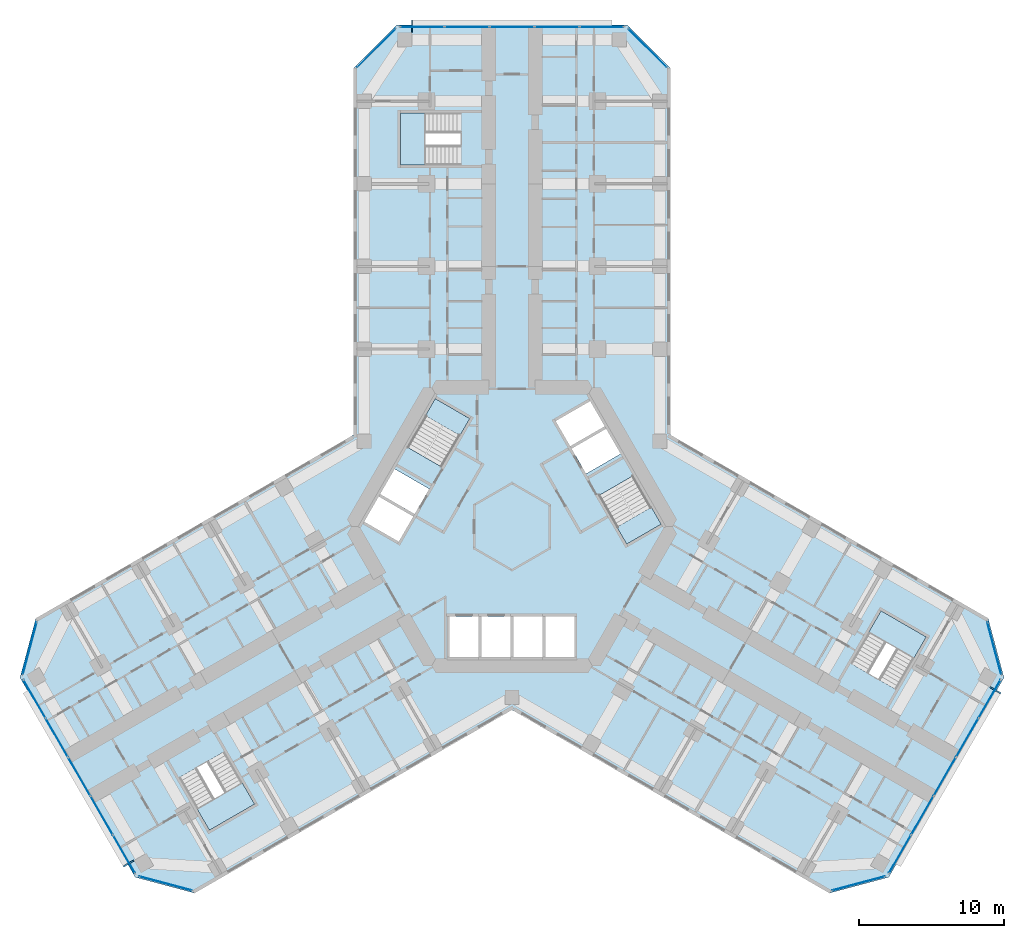
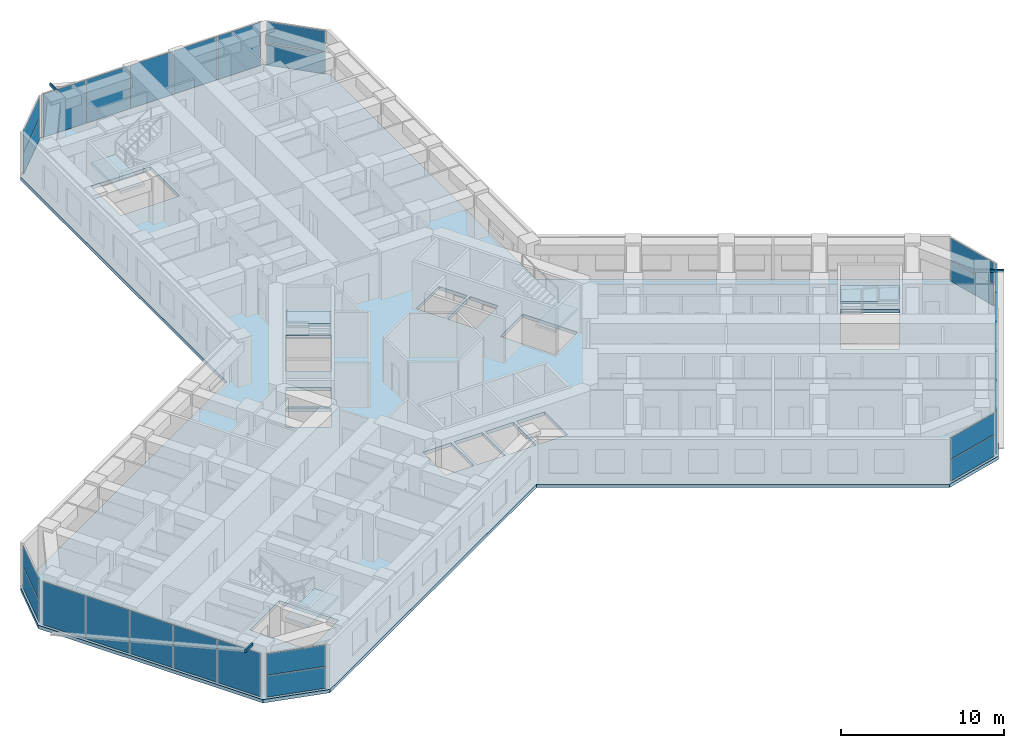
# One storey, part 9 of 21: 27 plates, 6 slabs, 3 members, 14 elements without a shape of their own.
"""IFC4 building model written with IfcOpenShell, lengths in metres."""

from ifc_helpers import new_model, si_unit, direction, frame, origin, origin_2d, place, context, subcontext, project, spatial, polyline, rectangle, hollow_rectangle, outline, extrude, material, layer, layer_set, material_profile, profile_set, type_object, element, aggregate, save


model = new_model("IFC4")

# Units and contexts
model_context = context("Model", 3, precision=1e-05, world=origin(), true_north=direction((0.0, 1.0)))
body_context = subcontext(model_context, "Body", "Model", "MODEL_VIEW")
ifc_project = project(units=[si_unit("LENGTHUNIT", "METRE"), si_unit("AREAUNIT", "SQUARE_METRE"), si_unit("VOLUMEUNIT", "CUBIC_METRE"), si_unit("PLANEANGLEUNIT", "RADIAN"), si_unit("MASSUNIT", "GRAM", prefix="KILO")], contexts=[model_context])

# Site, building, storey
site_placement = place(None, origin())
site = spatial("IfcSite", under=ifc_project, at=site_placement, CompositionType="ELEMENT")
building_placement = place(site_placement, origin())
building = spatial("IfcBuilding", under=site, at=building_placement, Name="Kosmar Iwan School Tower", CompositionType="ELEMENT")
storey_placement = place(building_placement, frame((0.0, 0.0, 53.800048828125)))
storey = spatial("IfcBuildingStorey", under=building, at=storey_placement, Name="L12", CompositionType="ELEMENT", Elevation=53.800048828125)

# Members
ifc_material_1 = material(Name="Steel S355", Category="steel")
ifc_material_profile = material_profile(ifc_material_1, hollow_rectangle(XDim=0.10009765625, YDim=0.199951171875, WallThickness=0.008056640625, at=origin_2d()), Name="RHS 200x100x8")
ifc_profile_set = profile_set([ifc_material_profile], Name="Steel S355")
member_type = type_object("IfcMemberType", Name="Fin bracket RHS 200x100", PredefinedType="USERDEFINED", material=ifc_profile_set)
member_1_placement = place(storey_placement, frame((32.9814453125, -11.074462890625, 3.474853515625), z_axis=(0.865989465428, -0.500062241894, 0.0), x_axis=(0.500062241894, 0.865989465428, 0.0)))
element("IfcMember", 1, at=member_1_placement, inside=storey, type_object=member_type, Name="Fin bracket L13", ObjectType="FIN BRACKET", PredefinedType="USERDEFINED", context=body_context, shape_type="SweptSolid", body=[
    extrude(hollow_rectangle(XDim=0.10009765625, YDim=0.199951171875, WallThickness=0.008056640625, at=origin_2d()), origin(), (0.0, 0.0, 1.0), 0.85009765625),
])
member_2_placement = place(storey_placement, frame((-6.89990234375, 34.10009765625, 3.474853515625), z_axis=(0.0, 1.0, 0.0), x_axis=(-1.0, 0.0, 0.0)))
element("IfcMember", 2, at=member_2_placement, inside=storey, type_object=member_type, Name="Fin bracket L13", ObjectType="FIN BRACKET", PredefinedType="USERDEFINED", context=body_context, shape_type="SweptSolid", body=[
    extrude(hollow_rectangle(XDim=0.10009765625, YDim=0.199951171875, WallThickness=0.008056640625, at=origin_2d()), origin(), (0.0, 0.0, 1.0), 0.849853515625),
])
member_3_placement = place(storey_placement, frame((-26.08154296875, -23.025634765625, 3.474853515625), z_axis=(-0.865989465428, -0.500062241894, 0.0), x_axis=(0.500062241894, -0.865989465428, 0.0)))
element("IfcMember", 3, at=member_3_placement, inside=storey, type_object=member_type, Name="Fin bracket L13", ObjectType="FIN BRACKET", PredefinedType="USERDEFINED", context=body_context, shape_type="SweptSolid", body=[
    extrude(hollow_rectangle(XDim=0.10009765625, YDim=0.199951171875, WallThickness=0.008056640625, at=origin_2d()), origin(), (0.0, 0.0, 1.0), 0.85009765625),
])

# Curtain wall, plates
ifc_material_2 = material(Name="Dark glass in black aluminium frame", Category="aluminium")
curtain_wall_type_1 = type_object("IfcCurtainWallType", Name="Chamfer curtain wall dark glass", PredefinedType="USERDEFINED", material=ifc_material_2)
curtain_wall_1_placement = place(storey_placement, origin())
curtain_wall_1 = element("IfcCurtainWall", 4, at=curtain_wall_1_placement, inside=storey, type_object=curtain_wall_type_1, Name="Curtain wall L12-F02", ObjectType="FACETED CURTAIN WALL", PredefinedType="USERDEFINED")
ifc_material_3 = material(Name="Dark glass", Category="glass")
ifc_layer_1 = layer(ifc_material_3, 0.028076171875)
ifc_layer_set_1 = layer_set([ifc_layer_1], Name="Dark glass panel 28")
plate_type = type_object("IfcPlateType", Name="Dark glass panel 28", PredefinedType="CURTAIN_PANEL", material=ifc_layer_set_1)
plate_1_placement = place(storey_placement, frame((23.908203125, -24.61328125, 0.06005859375), z_axis=(0.0, 0.0, 1.0), x_axis=(0.965925875495, 0.258818861462, 0.0)))
plate_1 = element("IfcPlate", 5, at=plate_1_placement, type_object=plate_type, Name="CW2 panel 1.1", PredefinedType="CURTAIN_PANEL", context=body_context, shape_type="SweptSolid", body=[
    extrude(rectangle(XDim=3.718994140625, YDim=0.028076171875, at=origin_2d()), origin(), (0.0, 0.0, 1.0), 1.5849609375),
])
plate_2_placement = place(storey_placement, frame((23.908203125, -24.61328125, 1.705078125), z_axis=(0.0, 0.0, 1.0), x_axis=(0.965925875495, 0.258818861462, 0.0)))
plate_2 = element("IfcPlate", 6, at=plate_2_placement, type_object=plate_type, Name="CW2 panel 1.2", PredefinedType="CURTAIN_PANEL", context=body_context, shape_type="SweptSolid", body=[
    extrude(rectangle(XDim=3.718994140625, YDim=0.028076171875, at=origin_2d()), origin(), (0.0, 0.0, 1.0), 1.5849609375),
])
aggregate(curtain_wall_1, [plate_1, plate_2])

ifc_material_4 = material(Name="Dark glass in black aluminium frame", Category="aluminium")
curtain_wall_type_2 = type_object("IfcCurtainWallType", Name="Tower curtain wall dark glass", PredefinedType="USERDEFINED", material=ifc_material_4)
curtain_wall_2_placement = place(storey_placement, origin())
curtain_wall_2 = element("IfcCurtainWall", 7, at=curtain_wall_2_placement, inside=storey, type_object=curtain_wall_type_2, Name="Curtain wall L12-F03", ObjectType="UNITISED CURTAIN WALL", PredefinedType="USERDEFINED")
plate_3_placement = place(storey_placement, frame((26.764404296875, -22.592529296875, 0.06005859375), z_axis=(0.0, 0.0, 1.0), x_axis=(0.499999997325, 0.866025405329, 0.0)))
plate_3 = element("IfcPlate", 8, at=plate_3_placement, type_object=plate_type, Name="CW1 panel 1.1", PredefinedType="CURTAIN_PANEL", context=body_context, shape_type="SweptSolid", body=[
    extrude(rectangle(XDim=3.00927734375, YDim=0.028076171875, at=origin_2d()), origin(), (0.0, 0.0, 1.0), 3.22998046875),
])
plate_4_placement = place(storey_placement, frame((28.306640625, -19.921630859375, 0.06005859375), z_axis=(0.0, 0.0, 1.0), x_axis=(0.499999997325, 0.866025405329, 0.0)))
plate_4 = element("IfcPlate", 9, at=plate_4_placement, type_object=plate_type, Name="CW1 panel 2.1", PredefinedType="CURTAIN_PANEL", context=body_context, shape_type="SweptSolid", body=[
    extrude(rectangle(XDim=3.039306640625, YDim=0.028076171875, at=origin_2d()), origin(), (0.0, 0.0, 1.0), 3.22998046875),
])
plate_5_placement = place(storey_placement, frame((29.856201171875, -17.237548828125, 0.06005859375), z_axis=(0.0, 0.0, 1.0), x_axis=(0.499999997325, 0.866025405329, 0.0)))
plate_5 = element("IfcPlate", 10, at=plate_5_placement, type_object=plate_type, Name="CW1 panel 3.1", PredefinedType="CURTAIN_PANEL", context=body_context, shape_type="SweptSolid", body=[
    extrude(rectangle(XDim=3.039306640625, YDim=0.028076171875, at=origin_2d()), origin(), (0.0, 0.0, 1.0), 3.22998046875),
])
plate_6_placement = place(storey_placement, frame((31.40576171875, -14.553466796875, 0.06005859375), z_axis=(0.0, 0.0, 1.0), x_axis=(0.499999997325, 0.866025405329, 0.0)))
plate_6 = element("IfcPlate", 11, at=plate_6_placement, type_object=plate_type, Name="CW1 panel 4.1", PredefinedType="CURTAIN_PANEL", context=body_context, shape_type="SweptSolid", body=[
    extrude(rectangle(XDim=3.039306640625, YDim=0.028076171875, at=origin_2d()), origin(), (0.0, 0.0, 1.0), 3.22998046875),
])
plate_7_placement = place(storey_placement, frame((32.947998046875, -11.88232421875, 0.06005859375), z_axis=(0.0, 0.0, 1.0), x_axis=(0.499999997325, 0.866025405329, 0.0)))
plate_7 = element("IfcPlate", 12, at=plate_7_placement, type_object=plate_type, Name="CW1 panel 5.1", PredefinedType="CURTAIN_PANEL", context=body_context, shape_type="SweptSolid", body=[
    extrude(rectangle(XDim=3.00927734375, YDim=0.028076171875, at=origin_2d()), origin(), (0.0, 0.0, 1.0), 3.22998046875),
])
aggregate(curtain_wall_2, [plate_3, plate_4, plate_5, plate_6, plate_7])

curtain_wall_3_placement = place(storey_placement, origin())
curtain_wall_3 = element("IfcCurtainWall", 13, at=curtain_wall_3_placement, inside=storey, type_object=curtain_wall_type_1, Name="Curtain wall L12-F04", ObjectType="FACETED CURTAIN WALL", PredefinedType="USERDEFINED")
plate_8_placement = place(storey_placement, frame((33.269775390625, -8.3984375, 0.06005859375), z_axis=(0.0, 0.0, 1.0), x_axis=(-0.258818861462, 0.965925875495, 0.0)))
plate_8 = element("IfcPlate", 14, at=plate_8_placement, type_object=plate_type, Name="CW2 panel 1.1", PredefinedType="CURTAIN_PANEL", context=body_context, shape_type="SweptSolid", body=[
    extrude(rectangle(XDim=3.718994140625, YDim=0.028076171875, at=origin_2d()), origin(), (0.0, 0.0, 1.0), 1.5849609375),
])
plate_9_placement = place(storey_placement, frame((33.269775390625, -8.3984375, 1.705078125), z_axis=(0.0, 0.0, 1.0), x_axis=(-0.258818861462, 0.965925875495, 0.0)))
plate_9 = element("IfcPlate", 15, at=plate_9_placement, type_object=plate_type, Name="CW2 panel 1.2", PredefinedType="CURTAIN_PANEL", context=body_context, shape_type="SweptSolid", body=[
    extrude(rectangle(XDim=3.718994140625, YDim=0.028076171875, at=origin_2d()), origin(), (0.0, 0.0, 1.0), 1.5849609375),
])
aggregate(curtain_wall_3, [plate_8, plate_9])

curtain_wall_4_placement = place(storey_placement, origin())
curtain_wall_4 = element("IfcCurtainWall", 16, at=curtain_wall_4_placement, inside=storey, type_object=curtain_wall_type_1, Name="Curtain wall L12-F07", ObjectType="FACETED CURTAIN WALL", PredefinedType="USERDEFINED")
plate_10_placement = place(storey_placement, frame((9.361572265625, 33.01171875, 0.06005859375), z_axis=(0.0, 0.0, 1.0), x_axis=(-0.707106781187, 0.707106781187, 0.0)))
plate_10 = element("IfcPlate", 17, at=plate_10_placement, type_object=plate_type, Name="CW2 panel 1.1", PredefinedType="CURTAIN_PANEL", context=body_context, shape_type="SweptSolid", body=[
    extrude(rectangle(XDim=3.718994140625, YDim=0.028076171875, at=origin_2d()), origin(), (0.0, 0.0, 1.0), 1.5849609375),
])
plate_11_placement = place(storey_placement, frame((9.361572265625, 33.01171875, 1.705078125), z_axis=(0.0, 0.0, 1.0), x_axis=(-0.707106781187, 0.707106781187, 0.0)))
plate_11 = element("IfcPlate", 18, at=plate_11_placement, type_object=plate_type, Name="CW2 panel 1.2", PredefinedType="CURTAIN_PANEL", context=body_context, shape_type="SweptSolid", body=[
    extrude(rectangle(XDim=3.718994140625, YDim=0.028076171875, at=origin_2d()), origin(), (0.0, 0.0, 1.0), 1.5849609375),
])
aggregate(curtain_wall_4, [plate_10, plate_11])

curtain_wall_5_placement = place(storey_placement, origin())
curtain_wall_5 = element("IfcCurtainWall", 19, at=curtain_wall_5_placement, inside=storey, type_object=curtain_wall_type_2, Name="Curtain wall L12-F08", ObjectType="UNITISED CURTAIN WALL", PredefinedType="USERDEFINED")
plate_12_placement = place(storey_placement, frame((6.18359375, 34.47509765625, 0.06005859375), z_axis=(0.0, 0.0, 1.0), x_axis=(-1.0, 0.0, 0.0)))
plate_12 = element("IfcPlate", 20, at=plate_12_placement, type_object=plate_type, Name="CW1 panel 1.1", PredefinedType="CURTAIN_PANEL", context=body_context, shape_type="SweptSolid", body=[
    extrude(rectangle(XDim=3.00927734375, YDim=0.028076171875, at=origin_2d()), origin(), (0.0, 0.0, 1.0), 3.22998046875),
])
plate_13_placement = place(storey_placement, frame((3.099365234375, 34.47509765625, 0.06005859375), z_axis=(0.0, 0.0, 1.0), x_axis=(-1.0, 0.0, 0.0)))
plate_13 = element("IfcPlate", 21, at=plate_13_placement, type_object=plate_type, Name="CW1 panel 2.1", PredefinedType="CURTAIN_PANEL", context=body_context, shape_type="SweptSolid", body=[
    extrude(rectangle(XDim=3.039306640625, YDim=0.028076171875, at=origin_2d()), origin(), (0.0, 0.0, 1.0), 3.22998046875),
])
plate_14_placement = place(storey_placement, frame((0.0, 34.47509765625, 0.06005859375), z_axis=(0.0, 0.0, 1.0), x_axis=(-1.0, 0.0, 0.0)))
plate_14 = element("IfcPlate", 22, at=plate_14_placement, type_object=plate_type, Name="CW1 panel 3.1", PredefinedType="CURTAIN_PANEL", context=body_context, shape_type="SweptSolid", body=[
    extrude(rectangle(XDim=3.039306640625, YDim=0.028076171875, at=origin_2d()), origin(), (0.0, 0.0, 1.0), 3.22998046875),
])
plate_15_placement = place(storey_placement, frame((-3.099365234375, 34.47509765625, 0.06005859375), z_axis=(0.0, 0.0, 1.0), x_axis=(-1.0, 0.0, 0.0)))
plate_15 = element("IfcPlate", 23, at=plate_15_placement, type_object=plate_type, Name="CW1 panel 4.1", PredefinedType="CURTAIN_PANEL", context=body_context, shape_type="SweptSolid", body=[
    extrude(rectangle(XDim=3.039306640625, YDim=0.028076171875, at=origin_2d()), origin(), (0.0, 0.0, 1.0), 3.22998046875),
])
plate_16_placement = place(storey_placement, frame((-6.18359375, 34.47509765625, 0.06005859375), z_axis=(0.0, 0.0, 1.0), x_axis=(-1.0, 0.0, 0.0)))
plate_16 = element("IfcPlate", 24, at=plate_16_placement, type_object=plate_type, Name="CW1 panel 5.1", PredefinedType="CURTAIN_PANEL", context=body_context, shape_type="SweptSolid", body=[
    extrude(rectangle(XDim=3.00927734375, YDim=0.028076171875, at=origin_2d()), origin(), (0.0, 0.0, 1.0), 3.22998046875),
])
aggregate(curtain_wall_5, [plate_12, plate_13, plate_14, plate_15, plate_16])

curtain_wall_6_placement = place(storey_placement, origin())
curtain_wall_6 = element("IfcCurtainWall", 25, at=curtain_wall_6_placement, inside=storey, type_object=curtain_wall_type_1, Name="Curtain wall L12-F09", ObjectType="FACETED CURTAIN WALL", PredefinedType="USERDEFINED")
plate_17_placement = place(storey_placement, frame((-9.361572265625, 33.01171875, 0.06005859375), z_axis=(0.0, 0.0, 1.0), x_axis=(-0.707106781187, -0.707106781187, 0.0)))
plate_17 = element("IfcPlate", 26, at=plate_17_placement, type_object=plate_type, Name="CW2 panel 1.1", PredefinedType="CURTAIN_PANEL", context=body_context, shape_type="SweptSolid", body=[
    extrude(rectangle(XDim=3.718994140625, YDim=0.028076171875, at=origin_2d()), origin(), (0.0, 0.0, 1.0), 1.5849609375),
])
plate_18_placement = place(storey_placement, frame((-9.361572265625, 33.01171875, 1.705078125), z_axis=(0.0, 0.0, 1.0), x_axis=(-0.707106781187, -0.707106781187, 0.0)))
plate_18 = element("IfcPlate", 27, at=plate_18_placement, type_object=plate_type, Name="CW2 panel 1.2", PredefinedType="CURTAIN_PANEL", context=body_context, shape_type="SweptSolid", body=[
    extrude(rectangle(XDim=3.718994140625, YDim=0.028076171875, at=origin_2d()), origin(), (0.0, 0.0, 1.0), 1.5849609375),
])
aggregate(curtain_wall_6, [plate_17, plate_18])

curtain_wall_7_placement = place(storey_placement, origin())
curtain_wall_7 = element("IfcCurtainWall", 28, at=curtain_wall_7_placement, inside=storey, type_object=curtain_wall_type_1, Name="Curtain wall L12-F12", ObjectType="FACETED CURTAIN WALL", PredefinedType="USERDEFINED")
plate_19_placement = place(storey_placement, frame((-33.269775390625, -8.3984375, 0.06005859375), z_axis=(0.0, 0.0, 1.0), x_axis=(-0.258818861462, -0.965925875495, 0.0)))
plate_19 = element("IfcPlate", 29, at=plate_19_placement, type_object=plate_type, Name="CW2 panel 1.1", PredefinedType="CURTAIN_PANEL", context=body_context, shape_type="SweptSolid", body=[
    extrude(rectangle(XDim=3.718994140625, YDim=0.028076171875, at=origin_2d()), origin(), (0.0, 0.0, 1.0), 1.5849609375),
])
plate_20_placement = place(storey_placement, frame((-33.269775390625, -8.3984375, 1.705078125), z_axis=(0.0, 0.0, 1.0), x_axis=(-0.258818861462, -0.965925875495, 0.0)))
plate_20 = element("IfcPlate", 30, at=plate_20_placement, type_object=plate_type, Name="CW2 panel 1.2", PredefinedType="CURTAIN_PANEL", context=body_context, shape_type="SweptSolid", body=[
    extrude(rectangle(XDim=3.718994140625, YDim=0.028076171875, at=origin_2d()), origin(), (0.0, 0.0, 1.0), 1.5849609375),
])
aggregate(curtain_wall_7, [plate_19, plate_20])

curtain_wall_8_placement = place(storey_placement, origin())
curtain_wall_8 = element("IfcCurtainWall", 31, at=curtain_wall_8_placement, inside=storey, type_object=curtain_wall_type_2, Name="Curtain wall L12-F13", ObjectType="UNITISED CURTAIN WALL", PredefinedType="USERDEFINED")
plate_21_placement = place(storey_placement, frame((-32.947998046875, -11.88232421875, 0.06005859375), z_axis=(0.0, 0.0, 1.0), x_axis=(0.499999997325, -0.866025405329, 0.0)))
plate_21 = element("IfcPlate", 32, at=plate_21_placement, type_object=plate_type, Name="CW1 panel 1.1", PredefinedType="CURTAIN_PANEL", context=body_context, shape_type="SweptSolid", body=[
    extrude(rectangle(XDim=3.00927734375, YDim=0.028076171875, at=origin_2d()), origin(), (0.0, 0.0, 1.0), 3.22998046875),
])
plate_22_placement = place(storey_placement, frame((-31.40576171875, -14.553466796875, 0.06005859375), z_axis=(0.0, 0.0, 1.0), x_axis=(0.499999997325, -0.866025405329, 0.0)))
plate_22 = element("IfcPlate", 33, at=plate_22_placement, type_object=plate_type, Name="CW1 panel 2.1", PredefinedType="CURTAIN_PANEL", context=body_context, shape_type="SweptSolid", body=[
    extrude(rectangle(XDim=3.039306640625, YDim=0.028076171875, at=origin_2d()), origin(), (0.0, 0.0, 1.0), 3.22998046875),
])
plate_23_placement = place(storey_placement, frame((-29.856201171875, -17.237548828125, 0.06005859375), z_axis=(0.0, 0.0, 1.0), x_axis=(0.499999997325, -0.866025405329, 0.0)))
plate_23 = element("IfcPlate", 34, at=plate_23_placement, type_object=plate_type, Name="CW1 panel 3.1", PredefinedType="CURTAIN_PANEL", context=body_context, shape_type="SweptSolid", body=[
    extrude(rectangle(XDim=3.039306640625, YDim=0.028076171875, at=origin_2d()), origin(), (0.0, 0.0, 1.0), 3.22998046875),
])
plate_24_placement = place(storey_placement, frame((-28.306640625, -19.921630859375, 0.06005859375), z_axis=(0.0, 0.0, 1.0), x_axis=(0.499999997325, -0.866025405329, 0.0)))
plate_24 = element("IfcPlate", 35, at=plate_24_placement, type_object=plate_type, Name="CW1 panel 4.1", PredefinedType="CURTAIN_PANEL", context=body_context, shape_type="SweptSolid", body=[
    extrude(rectangle(XDim=3.039306640625, YDim=0.028076171875, at=origin_2d()), origin(), (0.0, 0.0, 1.0), 3.22998046875),
])
plate_25_placement = place(storey_placement, frame((-26.764404296875, -22.592529296875, 0.06005859375), z_axis=(0.0, 0.0, 1.0), x_axis=(0.499999997325, -0.866025405329, 0.0)))
plate_25 = element("IfcPlate", 36, at=plate_25_placement, type_object=plate_type, Name="CW1 panel 5.1", PredefinedType="CURTAIN_PANEL", context=body_context, shape_type="SweptSolid", body=[
    extrude(rectangle(XDim=3.00927734375, YDim=0.028076171875, at=origin_2d()), origin(), (0.0, 0.0, 1.0), 3.22998046875),
])
aggregate(curtain_wall_8, [plate_21, plate_22, plate_23, plate_24, plate_25])

curtain_wall_9_placement = place(storey_placement, origin())
curtain_wall_9 = element("IfcCurtainWall", 37, at=curtain_wall_9_placement, inside=storey, type_object=curtain_wall_type_1, Name="Curtain wall L12-F14", ObjectType="FACETED CURTAIN WALL", PredefinedType="USERDEFINED")
plate_26_placement = place(storey_placement, frame((-23.908203125, -24.61328125, 0.06005859375), z_axis=(0.0, 0.0, 1.0), x_axis=(0.965925875495, -0.258818861462, 0.0)))
plate_26 = element("IfcPlate", 38, at=plate_26_placement, type_object=plate_type, Name="CW2 panel 1.1", PredefinedType="CURTAIN_PANEL", context=body_context, shape_type="SweptSolid", body=[
    extrude(rectangle(XDim=3.718994140625, YDim=0.028076171875, at=origin_2d()), origin(), (0.0, 0.0, 1.0), 1.5849609375),
])
plate_27_placement = place(storey_placement, frame((-23.908203125, -24.61328125, 1.705078125), z_axis=(0.0, 0.0, 1.0), x_axis=(0.965925875495, -0.258818861462, 0.0)))
plate_27 = element("IfcPlate", 39, at=plate_27_placement, type_object=plate_type, Name="CW2 panel 1.2", PredefinedType="CURTAIN_PANEL", context=body_context, shape_type="SweptSolid", body=[
    extrude(rectangle(XDim=3.718994140625, YDim=0.028076171875, at=origin_2d()), origin(), (0.0, 0.0, 1.0), 1.5849609375),
])
aggregate(curtain_wall_9, [plate_26, plate_27])

# Stair, slab
ifc_material_5 = material(Name="Concrete C35/45", Category="concrete")
stair_type_1 = type_object("IfcStairType", Name="Escape stair 3600", PredefinedType="HALF_TURN_STAIR", material=ifc_material_5)
stair_1_placement = place(storey_placement, origin())
stair_1 = element("IfcStair", 40, at=stair_1_placement, inside=storey, type_object=stair_type_1, Name="Stair WS1 L12", PredefinedType="HALF_TURN_STAIR")
ifc_material_6 = material(Name="Concrete C35/45", Category="concrete")
ifc_layer_2 = layer(ifc_material_6, 0.199951171875)
ifc_layer_set_2 = layer_set([ifc_layer_2], Name="Escape stair landing 200")
slab_type_1 = type_object("IfcSlabType", Name="Escape stair landing 200", PredefinedType="LANDING", material=ifc_layer_set_2)
slab_1_placement = place(storey_placement, frame((0.0, 0.0, 1.599853515625)))
slab_1 = element("IfcSlab", 41, at=slab_1_placement, type_object=slab_type_1, Name="WS1 landing 1", PredefinedType="LANDING", context=body_context, shape_type="SweptSolid", body=[
    extrude(outline(polyline([(-6.0, 24.949951171875), (-6.0, 28.550048828125), (-7.699951171875, 28.550048828125), (-7.699951171875, 24.949951171875), (-6.0, 24.949951171875)])), origin(), (0.0, 0.0, 1.0), 0.2001953125),
])
aggregate(stair_1, [slab_1])

stair_2_placement = place(storey_placement, origin())
stair_2 = element("IfcStair", 42, at=stair_2_placement, inside=storey, type_object=stair_type_1, Name="Stair WS2 L12", PredefinedType="HALF_TURN_STAIR")
slab_2_placement = place(storey_placement, frame((0.0, 0.0, 1.599853515625)))
slab_2 = element("IfcSlab", 43, at=slab_2_placement, type_object=slab_type_1, Name="WS2 landing 1", PredefinedType="LANDING", context=body_context, shape_type="SweptSolid", body=[
    extrude(outline(polyline([(-18.607421875, -17.671142578125), (-21.72509765625, -19.47119140625), (-20.875, -20.943359375), (-17.75732421875, -19.143310546875), (-18.607421875, -17.671142578125)])), origin(), (0.0, 0.0, 1.0), 0.2001953125),
])
aggregate(stair_2, [slab_2])

stair_3_placement = place(storey_placement, origin())
stair_3 = element("IfcStair", 44, at=stair_3_placement, inside=storey, type_object=stair_type_1, Name="Stair WS3 L12", PredefinedType="HALF_TURN_STAIR")
slab_3_placement = place(storey_placement, frame((0.0, 0.0, 1.599853515625)))
slab_3 = element("IfcSlab", 45, at=slab_3_placement, type_object=slab_type_1, Name="WS3 landing 1", PredefinedType="LANDING", context=body_context, shape_type="SweptSolid", body=[
    extrude(outline(polyline([(24.607421875, -7.27880859375), (27.72509765625, -9.078857421875), (28.574951171875, -7.606689453125), (25.457275390625, -5.806640625), (24.607421875, -7.27880859375)])), origin(), (0.0, 0.0, 1.0), 0.2001953125),
])
aggregate(stair_3, [slab_3])

# Slab
ifc_material_7 = material(Name="Concrete C35/45", Category="concrete")
ifc_layer_3 = layer(ifc_material_7, 0.25)
ifc_layer_set_3 = layer_set([ifc_layer_3], Name="Floor slab 250")
slab_type_2 = type_object("IfcSlabType", Name="Floor slab 250", PredefinedType="FLOOR", material=ifc_layer_set_3)
slab_4_placement = place(storey_placement, frame((0.0, 0.0, -0.25)))
element("IfcSlab", 46, at=slab_4_placement, inside=storey, type_object=slab_type_2, Name="L12 floor slab", PredefinedType="FLOOR", context=body_context, shape_type="SweptSolid", body=[
    extrude(outline(polyline([(-21.891357421875, -25.282958984375), (0.0, -12.64404296875), (21.891357421875, -25.282958984375), (25.989501953125, -24.184814453125), (33.939453125, -10.4150390625), (32.84130859375, -6.317138671875), (10.949951171875, 6.322021484375), (10.949951171875, 31.60009765625), (7.949951171875, 34.60009765625), (-7.949951171875, 34.60009765625), (-10.949951171875, 31.60009765625), (-10.949951171875, 6.322021484375), (-32.84130859375, -6.317138671875), (-33.939453125, -10.4150390625), (-25.989501953125, -24.184814453125), (-21.891357421875, -25.282958984375)]), holes=[polyline([(7.91259765625, -1.205078125), (10.294189453125, 0.169921875), (8.3642578125, 3.5126953125), (5.982666015625, 2.1376953125), (7.91259765625, -1.205078125)]), polyline([(-2.91259765625, 7.455078125), (-5.294189453125, 8.830078125), (-7.22412109375, 5.4873046875), (-4.8427734375, 4.1123046875), (-2.91259765625, 7.455078125)]), polyline([(-5.712646484375, 2.60546875), (-8.09423828125, 3.98046875), (-9.09423828125, 2.248291015625), (-6.712646484375, 0.873291015625), (-5.712646484375, 2.60546875)]), polyline([(-6.812744140625, 0.7001953125), (-9.1943359375, 2.0751953125), (-10.1943359375, 0.343017578125), (-7.812744140625, -1.031982421875), (-6.812744140625, 0.7001953125)]), polyline([(5.112548828125, 3.64453125), (7.494140625, 5.01953125), (6.494140625, 6.751708984375), (4.112548828125, 5.376708984375), (5.112548828125, 3.64453125)]), polyline([(4.0126953125, 5.5498046875), (6.394287109375, 6.9248046875), (5.394287109375, 8.656982421875), (3.0126953125, 7.281982421875), (4.0126953125, 5.5498046875)]), polyline([(-4.300048828125, -6.199951171875), (-4.300048828125, -9.0), (-2.300048828125, -9.0), (-2.300048828125, -6.199951171875), (-4.300048828125, -6.199951171875)]), polyline([(-2.10009765625, -6.199951171875), (-2.10009765625, -9.0), (-0.10009765625, -9.0), (-0.10009765625, -6.199951171875), (-2.10009765625, -6.199951171875)]), polyline([(0.10009765625, -6.199951171875), (0.10009765625, -9.0), (2.10009765625, -9.0), (2.10009765625, -6.199951171875), (0.10009765625, -6.199951171875)]), polyline([(2.300048828125, -6.199951171875), (2.300048828125, -9.0), (4.300048828125, -9.0), (4.300048828125, -6.199951171875), (2.300048828125, -6.199951171875)]), polyline([(-3.52001953125, 24.949951171875), (-3.52001953125, 28.550048828125), (-7.699951171875, 28.550048828125), (-7.699951171875, 24.949951171875), (-3.52001953125, 24.949951171875)]), polyline([(-19.847412109375, -15.5234375), (-22.965087890625, -17.323486328125), (-20.875, -20.943359375), (-17.75732421875, -19.143310546875), (-19.847412109375, -15.5234375)]), polyline([(23.367431640625, -9.426513671875), (26.485107421875, -11.2265625), (28.574951171875, -7.606689453125), (25.457275390625, -5.806640625), (23.367431640625, -9.426513671875)])]), origin(), (0.0, 0.0, 1.0), 0.25),
])

# Stair, slab
ifc_material_8 = material(Name="Concrete C35/45", Category="concrete")
stair_type_2 = type_object("IfcStairType", Name="Core stair 2750", PredefinedType="HALF_TURN_STAIR", material=ifc_material_8)
stair_4_placement = place(storey_placement, origin())
stair_4 = element("IfcStair", 47, at=stair_4_placement, inside=storey, type_object=stair_type_2, Name="Stair ST2 L12", PredefinedType="HALF_TURN_STAIR")
ifc_material_9 = material(Name="Concrete C35/45", Category="concrete")
ifc_layer_4 = layer(ifc_material_9, 0.199951171875)
ifc_layer_set_4 = layer_set([ifc_layer_4], Name="Stair landing 200")
slab_type_3 = type_object("IfcSlabType", Name="Stair landing 200", PredefinedType="LANDING", material=ifc_layer_set_4)
slab_5_placement = place(storey_placement, frame((0.0, 0.0, 1.599853515625)))
slab_5 = element("IfcSlab", 48, at=slab_5_placement, type_object=slab_type_3, Name="ST2 landing 1", PredefinedType="LANDING", context=body_context, shape_type="SweptSolid", body=[
    extrude(outline(polyline([(-2.91259765625, 7.455078125), (-5.294189453125, 8.830078125), (-5.97412109375, 7.65234375), (-3.5927734375, 6.27734375), (-2.91259765625, 7.455078125)])), origin(), (0.0, 0.0, 1.0), 0.2001953125),
])
aggregate(stair_4, [slab_5])

stair_5_placement = place(storey_placement, origin())
stair_5 = element("IfcStair", 49, at=stair_5_placement, inside=storey, type_object=stair_type_2, Name="Stair ST1 L12", PredefinedType="HALF_TURN_STAIR")
slab_6_placement = place(storey_placement, frame((0.0, 0.0, 1.599853515625)))
slab_6 = element("IfcSlab", 50, at=slab_6_placement, type_object=slab_type_3, Name="ST1 landing 1", PredefinedType="LANDING", context=body_context, shape_type="SweptSolid", body=[
    extrude(outline(polyline([(7.91259765625, -1.205078125), (10.294189453125, 0.169921875), (9.6142578125, 1.34765625), (7.232666015625, -0.02734375), (7.91259765625, -1.205078125)])), origin(), (0.0, 0.0, 1.0), 0.2001953125),
])
aggregate(stair_5, [slab_6])

save(model, "model.ifc")
